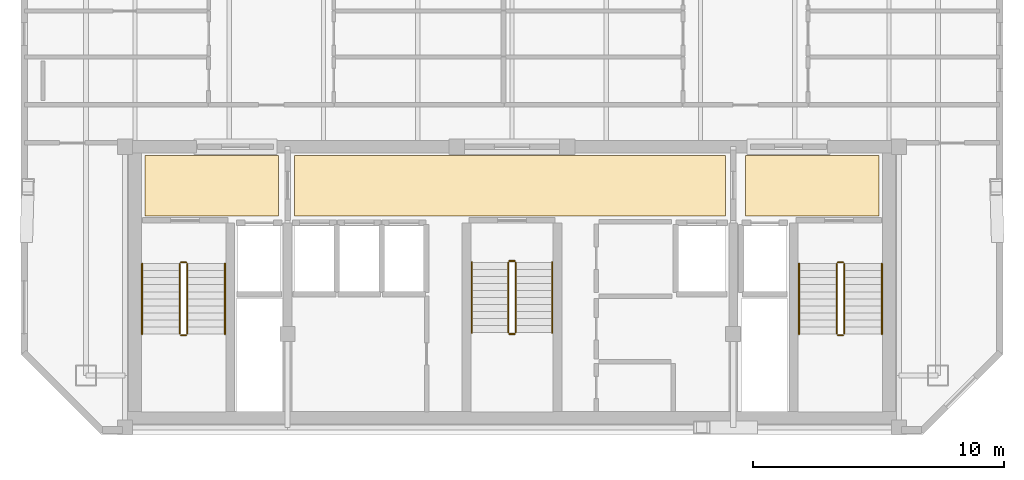
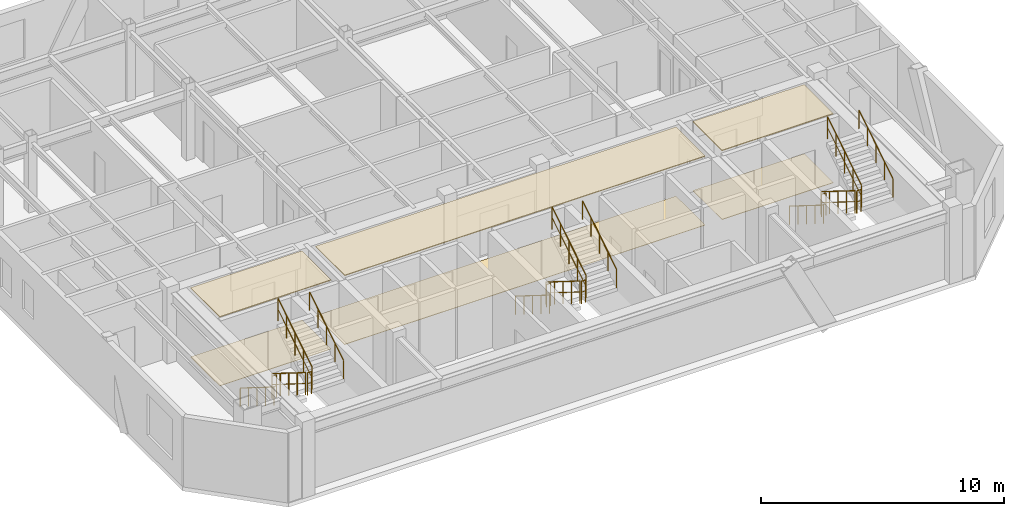
# One storey, part 7 of 7: 18 railings, 6 coverings.
"""IFC4 building model written with IfcOpenShell, lengths in metres."""

from ifc_helpers import new_model, si_unit, direction, frame, origin, origin_2d, place, context, subcontext, project, spatial, polyline, circle, outline, extrude, material, layer, layer_set, type_object, element, save


model = new_model("IFC4")

# Units and contexts
model_context = context("Model", 3, precision=1e-05, world=origin(), true_north=direction((0.0, 1.0)))
body_context = subcontext(model_context, "Body", "Model", "MODEL_VIEW")
ifc_project = project(units=[si_unit("LENGTHUNIT", "METRE"), si_unit("AREAUNIT", "SQUARE_METRE"), si_unit("VOLUMEUNIT", "CUBIC_METRE"), si_unit("PLANEANGLEUNIT", "RADIAN"), si_unit("MASSUNIT", "GRAM", prefix="KILO")], contexts=[model_context])

# Site, building, storey
site_placement = place(None, origin())
site = spatial("IfcSite", under=ifc_project, at=site_placement, CompositionType="ELEMENT")
building_placement = place(site_placement, origin())
building = spatial("IfcBuilding", under=site, at=building_placement, Name="Ventersveld Concourse Tower", CompositionType="ELEMENT")
storey_placement = place(building_placement, frame((0.0, 0.0, 328.449951171875)))
storey = spatial("IfcBuildingStorey", under=building, at=storey_placement, Name="L81", CompositionType="ELEMENT", Elevation=328.449951171875)

# Coverings
ifc_material_1 = material(Name="Mineral-fibre acoustic ceiling tile", Category="gypsum")
ifc_layer_1 = layer(ifc_material_1, 0.0400390625)
ifc_layer_set_1 = layer_set([ifc_layer_1], Name="Mineral-fibre acoustic ceiling tile")
covering_type_1 = type_object("IfcCoveringType", Name="COV-CEIL-ACOUSTIC", PredefinedType="CEILING", material=ifc_layer_set_1)
covering_1_placement = place(storey_placement, frame((0.0, 0.0, 3.4599609375)))
element("IfcCovering", 1, at=covering_1_placement, inside=storey, type_object=covering_type_1, Name="L81 North Lift Lobby Acoustic Ceiling", PredefinedType="CEILING", context=body_context, shape_type="SweptSolid", body=[
    extrude(outline(polyline([(20.10009765625, 8.699951171875), (37.25, 8.699951171875), (37.25, 11.10009765625), (20.10009765625, 11.10009765625), (20.10009765625, 8.699951171875)])), origin(), (0.0, 0.0, 1.0), 0.0400390625),
])
covering_2_placement = place(storey_placement, frame((0.0, 0.0, 3.4599609375)))
element("IfcCovering", 2, at=covering_2_placement, inside=storey, type_object=covering_type_1, Name="L81 West Firefighting Lobby Acoustic Ceiling", PredefinedType="CEILING", context=body_context, shape_type="SweptSolid", body=[
    extrude(outline(polyline([(14.14990234375, 8.699951171875), (19.449951171875, 8.699951171875), (19.449951171875, 11.10009765625), (14.14990234375, 11.10009765625), (14.14990234375, 8.699951171875)])), origin(), (0.0, 0.0, 1.0), 0.0400390625),
])
covering_3_placement = place(storey_placement, frame((0.0, 0.0, 3.4599609375)))
element("IfcCovering", 3, at=covering_3_placement, inside=storey, type_object=covering_type_1, Name="L81 East Firefighting Lobby Acoustic Ceiling", PredefinedType="CEILING", context=body_context, shape_type="SweptSolid", body=[
    extrude(outline(polyline([(38.050048828125, 8.699951171875), (43.35009765625, 8.699951171875), (43.35009765625, 11.10009765625), (38.050048828125, 11.10009765625), (38.050048828125, 8.699951171875)])), origin(), (0.0, 0.0, 1.0), 0.0400390625),
])
ifc_material_2 = material(Name="Polished Highveld granite terrazzo", Category="masonry")
ifc_layer_2 = layer(ifc_material_2, 0.02001953125)
ifc_layer_set_2 = layer_set([ifc_layer_2], Name="Polished Highveld granite terrazzo")
covering_type_2 = type_object("IfcCoveringType", Name="COV-FLOOR-TERRAZZO", PredefinedType="FLOORING", material=ifc_layer_set_2)
covering_4_placement = place(storey_placement, origin())
element("IfcCovering", 4, at=covering_4_placement, inside=storey, type_object=covering_type_2, Name="L81 North Lift Lobby Terrazzo Flooring", PredefinedType="FLOORING", context=body_context, shape_type="SweptSolid", body=[
    extrude(outline(polyline([(20.10009765625, 8.699951171875), (37.25, 8.699951171875), (37.25, 11.10009765625), (20.10009765625, 11.10009765625), (20.10009765625, 8.699951171875)])), origin(), (0.0, 0.0, 1.0), 0.02001953125),
])
covering_5_placement = place(storey_placement, origin())
element("IfcCovering", 5, at=covering_5_placement, inside=storey, type_object=covering_type_2, Name="L81 West Firefighting Lobby Terrazzo Flooring", PredefinedType="FLOORING", context=body_context, shape_type="SweptSolid", body=[
    extrude(outline(polyline([(14.14990234375, 8.699951171875), (19.449951171875, 8.699951171875), (19.449951171875, 11.10009765625), (14.14990234375, 11.10009765625), (14.14990234375, 8.699951171875)])), origin(), (0.0, 0.0, 1.0), 0.02001953125),
])
covering_6_placement = place(storey_placement, origin())
element("IfcCovering", 6, at=covering_6_placement, inside=storey, type_object=covering_type_2, Name="L81 East Firefighting Lobby Terrazzo Flooring", PredefinedType="FLOORING", context=body_context, shape_type="SweptSolid", body=[
    extrude(outline(polyline([(38.050048828125, 8.699951171875), (43.35009765625, 8.699951171875), (43.35009765625, 11.10009765625), (38.050048828125, 11.10009765625), (38.050048828125, 8.699951171875)])), origin(), (0.0, 0.0, 1.0), 0.02001953125),
])

# Railings
ifc_material_3 = material(Name="Brushed stainless steel 316", Category="steel")
railing_type_1 = type_object("IfcRailingType", Name="GD-BAL-115", PredefinedType="GUARDRAIL", material=ifc_material_3)
railing_1_placement = place(storey_placement, frame((15.530029296875, 6.800048828125, 0.175048828125)))
element("IfcRailing", 7, at=railing_1_placement, inside=storey, type_object=railing_type_1, Name="L81 ST-01 stair guard 1", PredefinedType="GUARDRAIL", context=body_context, shape_type="SweptSolid", body=[
    extrude(circle(Radius=0.02392578125, at=origin_2d()), frame((0.0, 0.0, 1.1259765625), z_axis=(0.0, -0.848002457836, 0.529992293815), x_axis=(1.0, 0.0, 0.0)), (0.0, 0.0, 1.0), 3.302001953125),
    extrude(circle(Radius=0.01611328125, at=origin_2d()), frame((0.0, 0.0, 0.574951171875), z_axis=(0.0, -0.848002457836, 0.529992293815), x_axis=(1.0, 0.0, 0.0)), (0.0, 0.0, 1.0), 3.302001953125),
    extrude(circle(Radius=0.02099609375, at=origin_2d()), origin(), (0.0, 0.0, 1.0), 1.101806640625),
    extrude(circle(Radius=0.02099609375, at=origin_2d()), frame((0.0, -0.699951171875, 0.4375)), (0.0, 0.0, 1.0), 1.101806640625),
    extrude(circle(Radius=0.02099609375, at=origin_2d()), frame((0.0, -1.39990234375, 0.875)), (0.0, 0.0, 1.0), 1.101806640625),
    extrude(circle(Radius=0.02099609375, at=origin_2d()), frame((0.0, -2.10009765625, 1.3125)), (0.0, 0.0, 1.0), 1.101806640625),
    extrude(circle(Radius=0.02099609375, at=origin_2d()), frame((0.0, -2.800048828125, 1.75)), (0.0, 0.0, 1.0), 1.101806640625),
])
railing_2_placement = place(storey_placement, frame((15.580078125, 3.949951171875, 1.925048828125)))
element("IfcRailing", 8, at=railing_2_placement, inside=storey, type_object=railing_type_1, Name="L81 ST-01 stair guard 2", PredefinedType="GUARDRAIL", context=body_context, shape_type="SweptSolid", body=[
    extrude(circle(Radius=0.02392578125, at=origin_2d()), frame((0.0, 0.0, 1.1259765625), z_axis=(1.0, 0.0, 0.0), x_axis=(0.0, 1.0, 0.0)), (0.0, 0.0, 1.0), 0.199951171875),
    extrude(circle(Radius=0.01611328125, at=origin_2d()), frame((0.0, 0.0, 0.574951171875), z_axis=(1.0, 0.0, 0.0), x_axis=(0.0, 1.0, 0.0)), (0.0, 0.0, 1.0), 0.199951171875),
    extrude(circle(Radius=0.02099609375, at=origin_2d()), origin(), (0.0, 0.0, 1.0), 1.101806640625),
    extrude(circle(Radius=0.02099609375, at=origin_2d()), frame((0.199951171875, 0.0, 0.0)), (0.0, 0.0, 1.0), 1.101806640625),
])
railing_3_placement = place(storey_placement, frame((15.830078125, 4.0, 2.10009765625)))
element("IfcRailing", 9, at=railing_3_placement, inside=storey, type_object=railing_type_1, Name="L81 ST-01 stair guard 3", PredefinedType="GUARDRAIL", context=body_context, shape_type="SweptSolid", body=[
    extrude(circle(Radius=0.02392578125, at=origin_2d()), frame((0.0, 0.0, 1.1259765625), z_axis=(0.0, 0.848002457836, 0.529992293815), x_axis=(-1.0, 0.0, 0.0)), (0.0, 0.0, 1.0), 3.302001953125),
    extrude(circle(Radius=0.01611328125, at=origin_2d()), frame((0.0, 0.0, 0.574951171875), z_axis=(0.0, 0.848002457836, 0.529992293815), x_axis=(-1.0, 0.0, 0.0)), (0.0, 0.0, 1.0), 3.302001953125),
    extrude(circle(Radius=0.02099609375, at=origin_2d()), origin(), (0.0, 0.0, 1.0), 1.101806640625),
    extrude(circle(Radius=0.02099609375, at=origin_2d()), frame((0.0, 0.699951171875, 0.4375)), (0.0, 0.0, 1.0), 1.101806640625),
    extrude(circle(Radius=0.02099609375, at=origin_2d()), frame((0.0, 1.39990234375, 0.875)), (0.0, 0.0, 1.0), 1.101806640625),
    extrude(circle(Radius=0.02099609375, at=origin_2d()), frame((0.0, 2.10009765625, 1.3125)), (0.0, 0.0, 1.0), 1.101806640625),
    extrude(circle(Radius=0.02099609375, at=origin_2d()), frame((0.0, 2.800048828125, 1.75)), (0.0, 0.0, 1.0), 1.101806640625),
])
railing_4_placement = place(storey_placement, frame((15.580078125, 6.85009765625, 0.0)))
element("IfcRailing", 10, at=railing_4_placement, inside=storey, type_object=railing_type_1, Name="L81 ST-01 stair guard 4", PredefinedType="GUARDRAIL", context=body_context, shape_type="SweptSolid", body=[
    extrude(circle(Radius=0.02392578125, at=origin_2d()), frame((0.0, 0.0, 1.1259765625), z_axis=(1.0, 0.0, 0.0), x_axis=(0.0, 1.0, 0.0)), (0.0, 0.0, 1.0), 0.199951171875),
    extrude(circle(Radius=0.01611328125, at=origin_2d()), frame((0.0, 0.0, 0.574951171875), z_axis=(1.0, 0.0, 0.0), x_axis=(0.0, 1.0, 0.0)), (0.0, 0.0, 1.0), 0.199951171875),
    extrude(circle(Radius=0.02099609375, at=origin_2d()), origin(), (0.0, 0.0, 1.0), 1.101806640625),
    extrude(circle(Radius=0.02099609375, at=origin_2d()), frame((0.199951171875, 0.0, 0.0)), (0.0, 0.0, 1.0), 1.101806640625),
])
railing_5_placement = place(storey_placement, frame((41.669921875, 6.800048828125, 0.175048828125)))
element("IfcRailing", 11, at=railing_5_placement, inside=storey, type_object=railing_type_1, Name="L81 ST-02 stair guard 1", PredefinedType="GUARDRAIL", context=body_context, shape_type="SweptSolid", body=[
    extrude(circle(Radius=0.02392578125, at=origin_2d()), frame((0.0, 0.0, 1.1259765625), z_axis=(0.0, -0.848002457836, 0.529992293815), x_axis=(1.0, 0.0, 0.0)), (0.0, 0.0, 1.0), 3.302001953125),
    extrude(circle(Radius=0.01611328125, at=origin_2d()), frame((0.0, 0.0, 0.574951171875), z_axis=(0.0, -0.848002457836, 0.529992293815), x_axis=(1.0, 0.0, 0.0)), (0.0, 0.0, 1.0), 3.302001953125),
    extrude(circle(Radius=0.02099609375, at=origin_2d()), origin(), (0.0, 0.0, 1.0), 1.101806640625),
    extrude(circle(Radius=0.02099609375, at=origin_2d()), frame((0.0, -0.699951171875, 0.4375)), (0.0, 0.0, 1.0), 1.101806640625),
    extrude(circle(Radius=0.02099609375, at=origin_2d()), frame((0.0, -1.39990234375, 0.875)), (0.0, 0.0, 1.0), 1.101806640625),
    extrude(circle(Radius=0.02099609375, at=origin_2d()), frame((0.0, -2.10009765625, 1.3125)), (0.0, 0.0, 1.0), 1.101806640625),
    extrude(circle(Radius=0.02099609375, at=origin_2d()), frame((0.0, -2.800048828125, 1.75)), (0.0, 0.0, 1.0), 1.101806640625),
])
railing_6_placement = place(storey_placement, frame((41.719970703125, 3.949951171875, 1.925048828125)))
element("IfcRailing", 12, at=railing_6_placement, inside=storey, type_object=railing_type_1, Name="L81 ST-02 stair guard 2", PredefinedType="GUARDRAIL", context=body_context, shape_type="SweptSolid", body=[
    extrude(circle(Radius=0.02392578125, at=origin_2d()), frame((0.0, 0.0, 1.1259765625), z_axis=(1.0, 0.0, 0.0), x_axis=(0.0, 1.0, 0.0)), (0.0, 0.0, 1.0), 0.199951171875),
    extrude(circle(Radius=0.01611328125, at=origin_2d()), frame((0.0, 0.0, 0.574951171875), z_axis=(1.0, 0.0, 0.0), x_axis=(0.0, 1.0, 0.0)), (0.0, 0.0, 1.0), 0.199951171875),
    extrude(circle(Radius=0.02099609375, at=origin_2d()), origin(), (0.0, 0.0, 1.0), 1.101806640625),
    extrude(circle(Radius=0.02099609375, at=origin_2d()), frame((0.199951171875, 0.0, 0.0)), (0.0, 0.0, 1.0), 1.101806640625),
])
railing_7_placement = place(storey_placement, frame((41.969970703125, 4.0, 2.10009765625)))
element("IfcRailing", 13, at=railing_7_placement, inside=storey, type_object=railing_type_1, Name="L81 ST-02 stair guard 3", PredefinedType="GUARDRAIL", context=body_context, shape_type="SweptSolid", body=[
    extrude(circle(Radius=0.02392578125, at=origin_2d()), frame((0.0, 0.0, 1.1259765625), z_axis=(0.0, 0.848002457836, 0.529992293815), x_axis=(-1.0, 0.0, 0.0)), (0.0, 0.0, 1.0), 3.302001953125),
    extrude(circle(Radius=0.01611328125, at=origin_2d()), frame((0.0, 0.0, 0.574951171875), z_axis=(0.0, 0.848002457836, 0.529992293815), x_axis=(-1.0, 0.0, 0.0)), (0.0, 0.0, 1.0), 3.302001953125),
    extrude(circle(Radius=0.02099609375, at=origin_2d()), origin(), (0.0, 0.0, 1.0), 1.101806640625),
    extrude(circle(Radius=0.02099609375, at=origin_2d()), frame((0.0, 0.699951171875, 0.4375)), (0.0, 0.0, 1.0), 1.101806640625),
    extrude(circle(Radius=0.02099609375, at=origin_2d()), frame((0.0, 1.39990234375, 0.875)), (0.0, 0.0, 1.0), 1.101806640625),
    extrude(circle(Radius=0.02099609375, at=origin_2d()), frame((0.0, 2.10009765625, 1.3125)), (0.0, 0.0, 1.0), 1.101806640625),
    extrude(circle(Radius=0.02099609375, at=origin_2d()), frame((0.0, 2.800048828125, 1.75)), (0.0, 0.0, 1.0), 1.101806640625),
])
railing_8_placement = place(storey_placement, frame((41.719970703125, 6.85009765625, 0.0)))
element("IfcRailing", 14, at=railing_8_placement, inside=storey, type_object=railing_type_1, Name="L81 ST-02 stair guard 4", PredefinedType="GUARDRAIL", context=body_context, shape_type="SweptSolid", body=[
    extrude(circle(Radius=0.02392578125, at=origin_2d()), frame((0.0, 0.0, 1.1259765625), z_axis=(1.0, 0.0, 0.0), x_axis=(0.0, 1.0, 0.0)), (0.0, 0.0, 1.0), 0.199951171875),
    extrude(circle(Radius=0.01611328125, at=origin_2d()), frame((0.0, 0.0, 0.574951171875), z_axis=(1.0, 0.0, 0.0), x_axis=(0.0, 1.0, 0.0)), (0.0, 0.0, 1.0), 0.199951171875),
    extrude(circle(Radius=0.02099609375, at=origin_2d()), origin(), (0.0, 0.0, 1.0), 1.101806640625),
    extrude(circle(Radius=0.02099609375, at=origin_2d()), frame((0.199951171875, 0.0, 0.0)), (0.0, 0.0, 1.0), 1.101806640625),
])
railing_9_placement = place(storey_placement, frame((28.60009765625, 6.85009765625, 0.175048828125)))
element("IfcRailing", 15, at=railing_9_placement, inside=storey, type_object=railing_type_1, Name="L81 ST-03 stair guard 1", PredefinedType="GUARDRAIL", context=body_context, shape_type="SweptSolid", body=[
    extrude(circle(Radius=0.02392578125, at=origin_2d()), frame((0.0, 0.0, 1.1259765625), z_axis=(0.0, -0.848002457836, 0.529992293815), x_axis=(1.0, 0.0, 0.0)), (0.0, 0.0, 1.0), 3.302001953125),
    extrude(circle(Radius=0.01611328125, at=origin_2d()), frame((0.0, 0.0, 0.574951171875), z_axis=(0.0, -0.848002457836, 0.529992293815), x_axis=(1.0, 0.0, 0.0)), (0.0, 0.0, 1.0), 3.302001953125),
    extrude(circle(Radius=0.02099609375, at=origin_2d()), origin(), (0.0, 0.0, 1.0), 1.101806640625),
    extrude(circle(Radius=0.02099609375, at=origin_2d()), frame((0.0, -0.699951171875, 0.4375)), (0.0, 0.0, 1.0), 1.101806640625),
    extrude(circle(Radius=0.02099609375, at=origin_2d()), frame((0.0, -1.39990234375, 0.875)), (0.0, 0.0, 1.0), 1.101806640625),
    extrude(circle(Radius=0.02099609375, at=origin_2d()), frame((0.0, -2.10009765625, 1.3125)), (0.0, 0.0, 1.0), 1.101806640625),
    extrude(circle(Radius=0.02099609375, at=origin_2d()), frame((0.0, -2.800048828125, 1.75)), (0.0, 0.0, 1.0), 1.101806640625),
])
railing_10_placement = place(storey_placement, frame((28.64990234375, 4.0, 1.925048828125)))
element("IfcRailing", 16, at=railing_10_placement, inside=storey, type_object=railing_type_1, Name="L81 ST-03 stair guard 2", PredefinedType="GUARDRAIL", context=body_context, shape_type="SweptSolid", body=[
    extrude(circle(Radius=0.02392578125, at=origin_2d()), frame((0.0, 0.0, 1.1259765625), z_axis=(1.0, 0.0, 0.0), x_axis=(0.0, 1.0, 0.0)), (0.0, 0.0, 1.0), 0.2001953125),
    extrude(circle(Radius=0.01611328125, at=origin_2d()), frame((0.0, 0.0, 0.574951171875), z_axis=(1.0, 0.0, 0.0), x_axis=(0.0, 1.0, 0.0)), (0.0, 0.0, 1.0), 0.2001953125),
    extrude(circle(Radius=0.02099609375, at=origin_2d()), origin(), (0.0, 0.0, 1.0), 1.101806640625),
    extrude(circle(Radius=0.02099609375, at=origin_2d()), frame((0.2001953125, 0.0, 0.0)), (0.0, 0.0, 1.0), 1.101806640625),
])
railing_11_placement = place(storey_placement, frame((28.89990234375, 4.050048828125, 2.10009765625)))
element("IfcRailing", 17, at=railing_11_placement, inside=storey, type_object=railing_type_1, Name="L81 ST-03 stair guard 3", PredefinedType="GUARDRAIL", context=body_context, shape_type="SweptSolid", body=[
    extrude(circle(Radius=0.02392578125, at=origin_2d()), frame((0.0, 0.0, 1.1259765625), z_axis=(0.0, 0.848002457836, 0.529992293815), x_axis=(-1.0, 0.0, 0.0)), (0.0, 0.0, 1.0), 3.302001953125),
    extrude(circle(Radius=0.01611328125, at=origin_2d()), frame((0.0, 0.0, 0.574951171875), z_axis=(0.0, 0.848002457836, 0.529992293815), x_axis=(-1.0, 0.0, 0.0)), (0.0, 0.0, 1.0), 3.302001953125),
    extrude(circle(Radius=0.02099609375, at=origin_2d()), origin(), (0.0, 0.0, 1.0), 1.101806640625),
    extrude(circle(Radius=0.02099609375, at=origin_2d()), frame((0.0, 0.699951171875, 0.4375)), (0.0, 0.0, 1.0), 1.101806640625),
    extrude(circle(Radius=0.02099609375, at=origin_2d()), frame((0.0, 1.39990234375, 0.875)), (0.0, 0.0, 1.0), 1.101806640625),
    extrude(circle(Radius=0.02099609375, at=origin_2d()), frame((0.0, 2.10009765625, 1.3125)), (0.0, 0.0, 1.0), 1.101806640625),
    extrude(circle(Radius=0.02099609375, at=origin_2d()), frame((0.0, 2.800048828125, 1.75)), (0.0, 0.0, 1.0), 1.101806640625),
])
railing_12_placement = place(storey_placement, frame((28.64990234375, 6.89990234375, 0.0)))
element("IfcRailing", 18, at=railing_12_placement, inside=storey, type_object=railing_type_1, Name="L81 ST-03 stair guard 4", PredefinedType="GUARDRAIL", context=body_context, shape_type="SweptSolid", body=[
    extrude(circle(Radius=0.02392578125, at=origin_2d()), frame((0.0, 0.0, 1.1259765625), z_axis=(1.0, 0.0, 0.0), x_axis=(0.0, 1.0, 0.0)), (0.0, 0.0, 1.0), 0.2001953125),
    extrude(circle(Radius=0.01611328125, at=origin_2d()), frame((0.0, 0.0, 0.574951171875), z_axis=(1.0, 0.0, 0.0), x_axis=(0.0, 1.0, 0.0)), (0.0, 0.0, 1.0), 0.2001953125),
    extrude(circle(Radius=0.02099609375, at=origin_2d()), origin(), (0.0, 0.0, 1.0), 1.101806640625),
    extrude(circle(Radius=0.02099609375, at=origin_2d()), frame((0.2001953125, 0.0, 0.0)), (0.0, 0.0, 1.0), 1.101806640625),
])
railing_type_2 = type_object("IfcRailingType", Name="HR-RMP-095", PredefinedType="HANDRAIL", material=ifc_material_3)
railing_13_placement = place(storey_placement, frame((14.030029296875, 6.800048828125, 0.175048828125)))
element("IfcRailing", 19, at=railing_13_placement, inside=storey, type_object=railing_type_2, Name="L81 ST-01 stair handrail 1", PredefinedType="HANDRAIL", context=body_context, shape_type="SweptSolid", body=[
    extrude(circle(Radius=0.02392578125, at=origin_2d()), frame((0.0, 0.0, 0.92578125), z_axis=(0.0, -0.848002457836, 0.529992293815), x_axis=(1.0, 0.0, 0.0)), (0.0, 0.0, 1.0), 3.302001953125),
    extrude(circle(Radius=0.02099609375, at=origin_2d()), origin(), (0.0, 0.0, 1.0), 0.90185546875),
    extrude(circle(Radius=0.02099609375, at=origin_2d()), frame((0.0, -0.699951171875, 0.4375)), (0.0, 0.0, 1.0), 0.90185546875),
    extrude(circle(Radius=0.02099609375, at=origin_2d()), frame((0.0, -1.39990234375, 0.875)), (0.0, 0.0, 1.0), 0.90185546875),
    extrude(circle(Radius=0.02099609375, at=origin_2d()), frame((0.0, -2.10009765625, 1.3125)), (0.0, 0.0, 1.0), 0.90185546875),
    extrude(circle(Radius=0.02099609375, at=origin_2d()), frame((0.0, -2.800048828125, 1.75)), (0.0, 0.0, 1.0), 0.90185546875),
])
railing_14_placement = place(storey_placement, frame((17.330078125, 4.0, 2.10009765625)))
element("IfcRailing", 20, at=railing_14_placement, inside=storey, type_object=railing_type_2, Name="L81 ST-01 stair handrail 2", PredefinedType="HANDRAIL", context=body_context, shape_type="SweptSolid", body=[
    extrude(circle(Radius=0.02392578125, at=origin_2d()), frame((0.0, 0.0, 0.92578125), z_axis=(0.0, 0.848002457836, 0.529992293815), x_axis=(-1.0, 0.0, 0.0)), (0.0, 0.0, 1.0), 3.302001953125),
    extrude(circle(Radius=0.02099609375, at=origin_2d()), origin(), (0.0, 0.0, 1.0), 0.90185546875),
    extrude(circle(Radius=0.02099609375, at=origin_2d()), frame((0.0, 0.699951171875, 0.4375)), (0.0, 0.0, 1.0), 0.90185546875),
    extrude(circle(Radius=0.02099609375, at=origin_2d()), frame((0.0, 1.39990234375, 0.875)), (0.0, 0.0, 1.0), 0.90185546875),
    extrude(circle(Radius=0.02099609375, at=origin_2d()), frame((0.0, 2.10009765625, 1.3125)), (0.0, 0.0, 1.0), 0.90185546875),
    extrude(circle(Radius=0.02099609375, at=origin_2d()), frame((0.0, 2.800048828125, 1.75)), (0.0, 0.0, 1.0), 0.90185546875),
])
railing_15_placement = place(storey_placement, frame((40.169921875, 6.800048828125, 0.175048828125)))
element("IfcRailing", 21, at=railing_15_placement, inside=storey, type_object=railing_type_2, Name="L81 ST-02 stair handrail 1", PredefinedType="HANDRAIL", context=body_context, shape_type="SweptSolid", body=[
    extrude(circle(Radius=0.02392578125, at=origin_2d()), frame((0.0, 0.0, 0.92578125), z_axis=(0.0, -0.848002457836, 0.529992293815), x_axis=(1.0, 0.0, 0.0)), (0.0, 0.0, 1.0), 3.302001953125),
    extrude(circle(Radius=0.02099609375, at=origin_2d()), origin(), (0.0, 0.0, 1.0), 0.90185546875),
    extrude(circle(Radius=0.02099609375, at=origin_2d()), frame((0.0, -0.699951171875, 0.4375)), (0.0, 0.0, 1.0), 0.90185546875),
    extrude(circle(Radius=0.02099609375, at=origin_2d()), frame((0.0, -1.39990234375, 0.875)), (0.0, 0.0, 1.0), 0.90185546875),
    extrude(circle(Radius=0.02099609375, at=origin_2d()), frame((0.0, -2.10009765625, 1.3125)), (0.0, 0.0, 1.0), 0.90185546875),
    extrude(circle(Radius=0.02099609375, at=origin_2d()), frame((0.0, -2.800048828125, 1.75)), (0.0, 0.0, 1.0), 0.90185546875),
])
railing_16_placement = place(storey_placement, frame((43.469970703125, 4.0, 2.10009765625)))
element("IfcRailing", 22, at=railing_16_placement, inside=storey, type_object=railing_type_2, Name="L81 ST-02 stair handrail 2", PredefinedType="HANDRAIL", context=body_context, shape_type="SweptSolid", body=[
    extrude(circle(Radius=0.02392578125, at=origin_2d()), frame((0.0, 0.0, 0.92578125), z_axis=(0.0, 0.848002457836, 0.529992293815), x_axis=(-1.0, 0.0, 0.0)), (0.0, 0.0, 1.0), 3.302001953125),
    extrude(circle(Radius=0.02099609375, at=origin_2d()), origin(), (0.0, 0.0, 1.0), 0.90185546875),
    extrude(circle(Radius=0.02099609375, at=origin_2d()), frame((0.0, 0.699951171875, 0.4375)), (0.0, 0.0, 1.0), 0.90185546875),
    extrude(circle(Radius=0.02099609375, at=origin_2d()), frame((0.0, 1.39990234375, 0.875)), (0.0, 0.0, 1.0), 0.90185546875),
    extrude(circle(Radius=0.02099609375, at=origin_2d()), frame((0.0, 2.10009765625, 1.3125)), (0.0, 0.0, 1.0), 0.90185546875),
    extrude(circle(Radius=0.02099609375, at=origin_2d()), frame((0.0, 2.800048828125, 1.75)), (0.0, 0.0, 1.0), 0.90185546875),
])
railing_17_placement = place(storey_placement, frame((27.14990234375, 6.85009765625, 0.175048828125)))
element("IfcRailing", 23, at=railing_17_placement, inside=storey, type_object=railing_type_2, Name="L81 ST-03 stair handrail 1", PredefinedType="HANDRAIL", context=body_context, shape_type="SweptSolid", body=[
    extrude(circle(Radius=0.02392578125, at=origin_2d()), frame((0.0, 0.0, 0.92578125), z_axis=(0.0, -0.848002457836, 0.529992293815), x_axis=(1.0, 0.0, 0.0)), (0.0, 0.0, 1.0), 3.302001953125),
    extrude(circle(Radius=0.02099609375, at=origin_2d()), origin(), (0.0, 0.0, 1.0), 0.90185546875),
    extrude(circle(Radius=0.02099609375, at=origin_2d()), frame((0.0, -0.699951171875, 0.4375)), (0.0, 0.0, 1.0), 0.90185546875),
    extrude(circle(Radius=0.02099609375, at=origin_2d()), frame((0.0, -1.39990234375, 0.875)), (0.0, 0.0, 1.0), 0.90185546875),
    extrude(circle(Radius=0.02099609375, at=origin_2d()), frame((0.0, -2.10009765625, 1.3125)), (0.0, 0.0, 1.0), 0.90185546875),
    extrude(circle(Radius=0.02099609375, at=origin_2d()), frame((0.0, -2.800048828125, 1.75)), (0.0, 0.0, 1.0), 0.90185546875),
])
railing_18_placement = place(storey_placement, frame((30.35009765625, 4.050048828125, 2.10009765625)))
element("IfcRailing", 24, at=railing_18_placement, inside=storey, type_object=railing_type_2, Name="L81 ST-03 stair handrail 2", PredefinedType="HANDRAIL", context=body_context, shape_type="SweptSolid", body=[
    extrude(circle(Radius=0.02392578125, at=origin_2d()), frame((0.0, 0.0, 0.92578125), z_axis=(0.0, 0.848002457836, 0.529992293815), x_axis=(-1.0, 0.0, 0.0)), (0.0, 0.0, 1.0), 3.302001953125),
    extrude(circle(Radius=0.02099609375, at=origin_2d()), origin(), (0.0, 0.0, 1.0), 0.90185546875),
    extrude(circle(Radius=0.02099609375, at=origin_2d()), frame((0.0, 0.699951171875, 0.4375)), (0.0, 0.0, 1.0), 0.90185546875),
    extrude(circle(Radius=0.02099609375, at=origin_2d()), frame((0.0, 1.39990234375, 0.875)), (0.0, 0.0, 1.0), 0.90185546875),
    extrude(circle(Radius=0.02099609375, at=origin_2d()), frame((0.0, 2.10009765625, 1.3125)), (0.0, 0.0, 1.0), 0.90185546875),
    extrude(circle(Radius=0.02099609375, at=origin_2d()), frame((0.0, 2.800048828125, 1.75)), (0.0, 0.0, 1.0), 0.90185546875),
])

save(model, "model.ifc")
